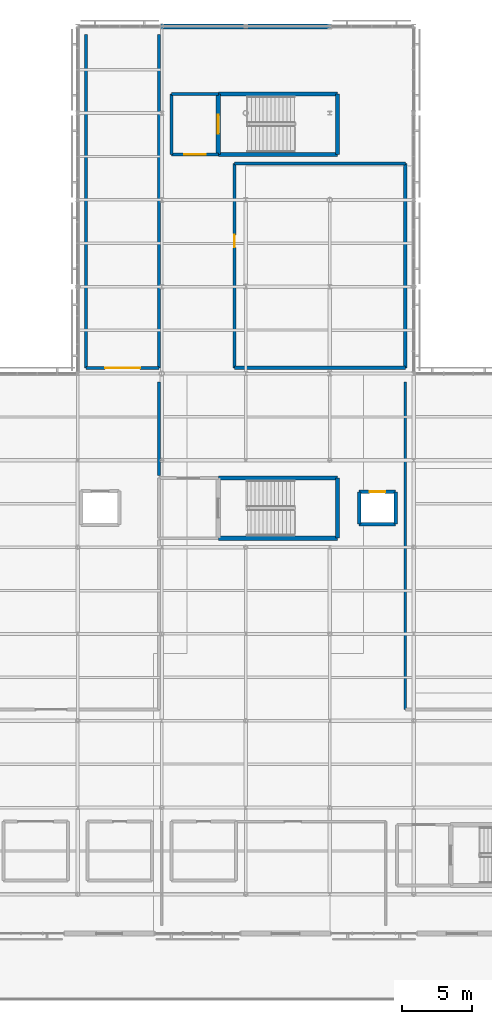
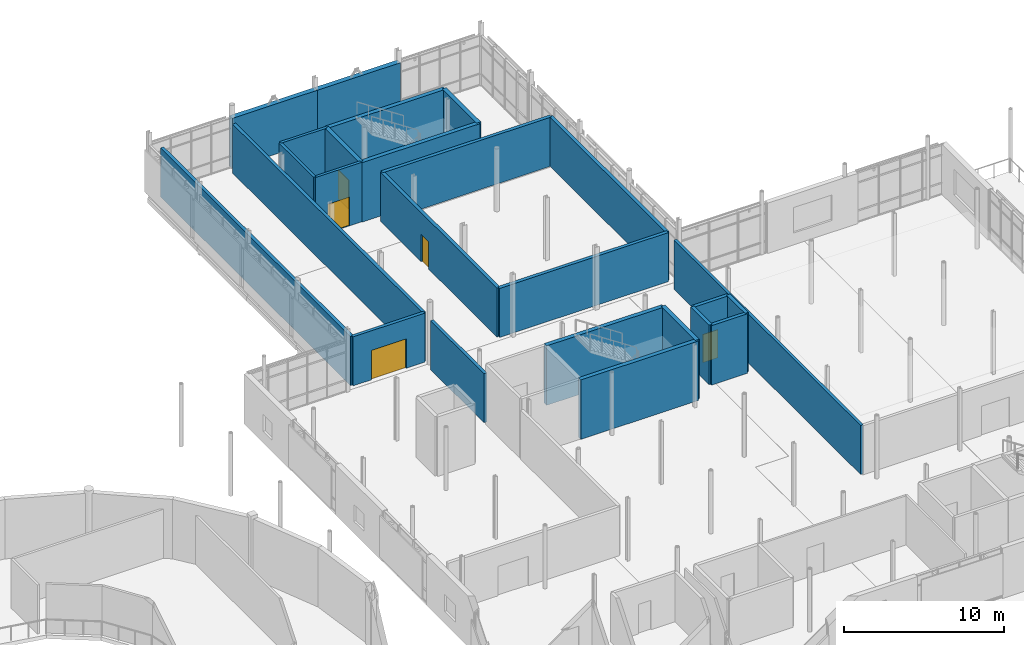
# One storey, part 48 of 66: 25 walls, 5 doors, 5 openings.
"""IFC4 building model written with IfcOpenShell, lengths in metres."""

from ifc_helpers import new_model, si_unit, direction, frame, frame_2d, origin, place, context, subcontext, project, spatial, rectangle, extrude, material, layer, layer_set, type_object, element, fill, save


model = new_model("IFC4")

# Units and contexts
model_context = context("Model", 3, precision=1e-05, world=origin(), true_north=direction((0.0, 1.0)))
body_context = subcontext(model_context, "Body", "Model", "MODEL_VIEW")
ifc_project = project(units=[si_unit("LENGTHUNIT", "METRE"), si_unit("AREAUNIT", "SQUARE_METRE"), si_unit("VOLUMEUNIT", "CUBIC_METRE"), si_unit("PLANEANGLEUNIT", "RADIAN"), si_unit("MASSUNIT", "GRAM", prefix="KILO")], contexts=[model_context])

# Site, building, storey
site_placement = place(None, origin())
site = spatial("IfcSite", under=ifc_project, at=site_placement, CompositionType="ELEMENT")
building_placement = place(site_placement, origin())
building = spatial("IfcBuilding", under=site, at=building_placement, Name="Mirzam Square Science Centre", CompositionType="ELEMENT")
storey_placement = place(building_placement, frame((0.0, 0.0, 15.60009765625)))
storey = spatial("IfcBuildingStorey", under=building, at=storey_placement, Name="L03", CompositionType="ELEMENT", Elevation=15.60009765625)

# Walls
ifc_material_1 = material(Name="Concrete C45/55", Category="concrete")
ifc_layer_1 = layer(ifc_material_1, 0.300048828125)
ifc_layer_set_1 = layer_set([ifc_layer_1], Name="W-CORE-300")
wall_type_1 = type_object("IfcWallType", Name="W-CORE-300", PredefinedType="SHEAR", material=ifc_layer_set_1)
for number, where, z_axis, x_axis, name in (
    (1, (124.0400390625, 75.0400390625, 0.0), (0.0, 0.0, 1.0), (1.0, 0.0, 0.0), "L03 CORE-4 south wall"),
    (2, (132.56005859375, 79.330078125, 0.0), (0.0, 0.0, 1.0), (-1.0, 0.0, 0.0), "L03 CORE-4 north wall"),
):
    element("IfcWall", number, at=place(storey_placement, frame(where, z_axis=z_axis, x_axis=x_axis)), inside=storey, type_object=wall_type_1, Name=name, PredefinedType="SHEAR", context=body_context, shape_type="SweptSolid", body=[
        extrude(rectangle(XDim=8.52001953125, YDim=0.300048828125, at=frame_2d((4.260009765625, 0.0))), origin(), (0.0, 0.0, 1.0), 4.5498046875),
    ])
wall_1_placement = place(storey_placement, frame((132.56005859375, 75.0400390625, 0.0), z_axis=(0.0, 0.0, 1.0), x_axis=(0.0, 1.0, 0.0)))
element("IfcWall", 3, at=wall_1_placement, inside=storey, type_object=wall_type_1, Name="L03 CORE-4 east wall", PredefinedType="SHEAR", context=body_context, shape_type="SweptSolid", body=[
    extrude(rectangle(XDim=4.2900390625, YDim=0.300048828125, at=frame_2d((2.14501953125, 0.0))), origin(), (0.0, 0.0, 1.0), 4.5498046875),
])
for number, where, z_axis, x_axis, name in (
    (4, (124.0400390625, 102.43994140625, 0.0), (0.0, 0.0, 1.0), (1.0, 0.0, 0.0), "L03 CORE-7 south wall"),
    (5, (132.56005859375, 106.77001953125, 0.0), (0.0, 0.0, 1.0), (-1.0, 0.0, 0.0), "L03 CORE-7 north wall"),
):
    element("IfcWall", number, at=place(storey_placement, frame(where, z_axis=z_axis, x_axis=x_axis)), inside=storey, type_object=wall_type_1, Name=name, PredefinedType="SHEAR", context=body_context, shape_type="SweptSolid", body=[
        extrude(rectangle(XDim=8.52001953125, YDim=0.300048828125, at=frame_2d((4.260009765625, 0.0))), origin(), (0.0, 0.0, 1.0), 4.5498046875),
    ])

# Wall, opening, door
wall_2_placement = place(storey_placement, frame((124.0400390625, 106.77001953125, 0.0), z_axis=(0.0, 0.0, 1.0), x_axis=(0.0, -1.0, 0.0)))
wall_2 = element("IfcWall", 6, at=wall_2_placement, inside=storey, type_object=wall_type_1, Name="L03 CORE-7 west wall", PredefinedType="SHEAR", context=body_context, shape_type="SweptSolid", body=[
    extrude(rectangle(XDim=4.330078125, YDim=0.300048828125, at=frame_2d((2.1650390625, 0.0))), origin(), (0.0, 0.0, 1.0), 4.5498046875),
])
opening_1_placement = place(wall_2_placement, frame((1.489990234375, 0.0, 0.0)))
opening_1 = element("IfcOpeningElement", 7, at=opening_1_placement, cuts=wall_2, Name="Opening DS-01", PredefinedType="OPENING", context=body_context, shape_type="SweptSolid", body=[
    extrude(rectangle(XDim=1.35009765625, YDim=2.199951171875, at=frame_2d((0.675048828125, 1.10009765625))), frame((0.0, 0.159912109375, 0.0), z_axis=(0.0, -1.0, 0.0), x_axis=(1.0, 0.0, 0.0)), (0.0, 0.0, 1.0), 0.320068359375),
])
ifc_material_2 = material(Name="Fire-Rated Powder-Coated Architectural Steel Door", Category="steel")
door_type_1 = type_object("IfcDoorType", Name="DR-STAIR-1350x2200", OperationType="NOTDEFINED", PredefinedType="DOOR", material=ifc_material_2)
door_1_placement = place(opening_1_placement, origin())
door_1 = element("IfcDoor", 8, at=door_1_placement, inside=storey, type_object=door_type_1, Name="DRS-7-L03", OperationType="SINGLE_SWING_RIGHT", OverallHeight=2.199951171875, OverallWidth=1.35009765625, PredefinedType="DOOR", context=body_context, shape_type="SweptSolid", body=[
    extrude(rectangle(XDim=1.35009765625, YDim=2.199951171875, at=frame_2d((0.675048828125, 1.10009765625))), frame((0.0, 0.02490234375, 0.0), z_axis=(0.0, -1.0, 0.0), x_axis=(1.0, 0.0, 0.0)), (0.0, 0.0, 1.0), 0.050048828125),
])
fill(opening_1, door_1)

# Walls
wall_3_placement = place(storey_placement, frame((132.56005859375, 102.43994140625, 0.0), z_axis=(0.0, 0.0, 1.0), x_axis=(0.0, 1.0, 0.0)))
element("IfcWall", 9, at=wall_3_placement, inside=storey, type_object=wall_type_1, Name="L03 CORE-7 east wall", PredefinedType="SHEAR", context=body_context, shape_type="SweptSolid", body=[
    extrude(rectangle(XDim=4.330078125, YDim=0.300048828125, at=frame_2d((2.1650390625, 0.0))), origin(), (0.0, 0.0, 1.0), 4.5498046875),
])
ifc_material_3 = material(Name="Standing-Seam Zinc-Clad Concrete Backup C40/50", Category="concrete")
ifc_layer_2 = layer(ifc_material_3, 0.35009765625)
ifc_layer_set_2 = layer_set([ifc_layer_2], Name="W-EXT-METAL-350")
wall_type_2 = type_object("IfcWallType", Name="W-EXT-METAL-350", PredefinedType="SOLIDWALL", material=ifc_layer_set_2)
for number, where, z_axis, x_axis, name in (
    (10, (126.074951171875, 111.60009765625, 0.0), (0.0, 0.0, 1.0), (-1.0, 0.0, 0.0), "L03 external wall EW-NEP-N-L03-21"),
    (11, (132.074951171875, 111.60009765625, 0.0), (0.0, 0.0, 1.0), (-1.0, 0.0, 0.0), "L03 external wall EW-NEP-N-L03-22"),
):
    element("IfcWall", number, at=place(storey_placement, frame(where, z_axis=z_axis, x_axis=x_axis)), inside=storey, type_object=wall_type_2, Name=name, PredefinedType="SOLIDWALL", context=body_context, shape_type="SweptSolid", body=[
        extrude(rectangle(XDim=6.14990234375, YDim=0.35009765625, at=frame_2d((3.074951171875, 0.0))), origin(), (0.0, 0.0, 1.0), 3.83984375),
    ])

# Wall, opening, door
ifc_layer_3 = layer(ifc_material_1, 0.199951171875)
ifc_layer_set_3 = layer_set([ifc_layer_3], Name="W-LOBBY-200")
wall_type_3 = type_object("IfcWallType", Name="W-LOBBY-200", PredefinedType="SHEAR", material=ifc_layer_set_3)
wall_4_placement = place(storey_placement, frame((120.699951171875, 102.43994140625, 0.0), z_axis=(0.0, 0.0, 1.0), x_axis=(1.0, 0.0, 0.0)))
wall_4 = element("IfcWall", 12, at=wall_4_placement, inside=storey, type_object=wall_type_3, Name="L03 CORE-7 lobby south wall", PredefinedType="SHEAR", context=body_context, shape_type="SweptSolid", body=[
    extrude(rectangle(XDim=3.340087890625, YDim=0.199951171875, at=frame_2d((1.669921875, 0.0))), origin(), (0.0, 0.0, 1.0), 4.5498046875),
])
opening_2_placement = place(wall_4_placement, frame((0.89501953125, 0.0, 0.0)))
opening_2 = element("IfcOpeningElement", 13, at=opening_2_placement, cuts=wall_4, Name="Opening DL-01", PredefinedType="OPENING", context=body_context, shape_type="SweptSolid", body=[
    extrude(rectangle(XDim=1.550048828125, YDim=2.199951171875, at=frame_2d((0.77490234375, 1.10009765625))), frame((0.0, 0.10986328125, 0.0), z_axis=(0.0, -1.0, 0.0), x_axis=(1.0, 0.0, 0.0)), (0.0, 0.0, 1.0), 0.219970703125),
])
ifc_material_4 = material(Name="Fire-Rated Glazed Architectural Steel Lobby Door", Category="steel")
door_type_2 = type_object("IfcDoorType", Name="DR-LOBBY-1550x2200", OperationType="DOUBLE_DOOR_SINGLE_SWING", PredefinedType="DOOR", material=ifc_material_4)
door_2_placement = place(opening_2_placement, origin())
door_2 = element("IfcDoor", 14, at=door_2_placement, inside=storey, type_object=door_type_2, Name="DRL-7-L03", OperationType="SINGLE_SWING_LEFT", OverallHeight=2.199951171875, OverallWidth=1.550048828125, PredefinedType="DOOR", context=body_context, shape_type="SweptSolid", body=[
    extrude(rectangle(XDim=1.550048828125, YDim=2.199951171875, at=frame_2d((0.77490234375, 1.10009765625))), frame((0.0, 0.02490234375, 0.0), z_axis=(0.0, -1.0, 0.0), x_axis=(1.0, 0.0, 0.0)), (0.0, 0.0, 1.0), 0.050048828125),
])
fill(opening_2, door_2)

# Walls
wall_5_placement = place(storey_placement, frame((124.0400390625, 106.77001953125, 0.0), z_axis=(0.0, 0.0, 1.0), x_axis=(-1.0, 0.0, 0.0)))
element("IfcWall", 15, at=wall_5_placement, inside=storey, type_object=wall_type_3, Name="L03 CORE-7 lobby north wall", PredefinedType="SHEAR", context=body_context, shape_type="SweptSolid", body=[
    extrude(rectangle(XDim=3.340087890625, YDim=0.199951171875, at=frame_2d((1.669921875, 0.0))), origin(), (0.0, 0.0, 1.0), 4.5498046875),
])
wall_6_placement = place(storey_placement, frame((120.699951171875, 106.77001953125, 0.0), z_axis=(0.0, 0.0, 1.0), x_axis=(0.0, -1.0, 0.0)))
element("IfcWall", 16, at=wall_6_placement, inside=storey, type_object=wall_type_3, Name="L03 CORE-7 lobby west wall", PredefinedType="SHEAR", context=body_context, shape_type="SweptSolid", body=[
    extrude(rectangle(XDim=4.330078125, YDim=0.199951171875, at=frame_2d((2.1650390625, 0.0))), origin(), (0.0, 0.0, 1.0), 4.5498046875),
])
ifc_material_5 = material(Name="Fire-Rated Corridor Blockwork Concrete C30/37", Category="masonry")
ifc_layer_4 = layer(ifc_material_5, 0.199951171875)
ifc_layer_set_4 = layer_set([ifc_layer_4], Name="W-PART-200")
wall_type_4 = type_object("IfcWallType", Name="W-PART-200", PredefinedType="PARTITIONING", material=ifc_layer_set_4)
wall_7_placement = place(storey_placement, frame((137.39990234375, 62.800048828125, 0.0), z_axis=(0.0, 0.0, 1.0), x_axis=(0.0, 1.0, 0.0)))
element("IfcWall", 17, at=wall_7_placement, inside=storey, type_object=wall_type_4, Name="L03 Autonomous Systems Dry Laboratory 3 partition 251", PredefinedType="PARTITIONING", context=body_context, shape_type="SweptSolid", body=[
    extrude(rectangle(XDim=23.39990234375, YDim=0.199951171875, at=frame_2d((11.699951171875, 0.0))), origin(), (0.0, 0.0, 1.0), 3.75),
])
ifc_material_6 = material(Name="Chemical Prep Fire Partition Concrete C30/37", Category="concrete")
ifc_layer_5 = layer(ifc_material_6, 0.215087890625)
ifc_layer_set_5 = layer_set([ifc_layer_5], Name="W-PART-215")
wall_type_5 = type_object("IfcWallType", Name="W-PART-215", PredefinedType="PARTITIONING", material=ifc_layer_set_5)
wall_8_placement = place(storey_placement, frame((119.800048828125, 86.199951171875, 0.0), z_axis=(0.0, 0.0, 1.0), x_axis=(0.0, -1.0, 0.0)))
element("IfcWall", 18, at=wall_8_placement, inside=storey, type_object=wall_type_5, Name="L03 Arid Botany Wet Laboratory 4 partition 253", PredefinedType="PARTITIONING", context=body_context, shape_type="SweptSolid", body=[
    extrude(rectangle(XDim=6.699951171875, YDim=0.215087890625, at=frame_2d((3.35009765625, 0.0))), origin(), (0.0, 0.0, 1.0), 3.75),
])
ifc_material_7 = material(Name="Gallery Display Backing Wall Concrete C30/37", Category="concrete")
ifc_layer_6 = layer(ifc_material_7, 0.22998046875)
ifc_layer_set_6 = layer_set([ifc_layer_6], Name="W-PART-230")
wall_type_6 = type_object("IfcWallType", Name="W-PART-230", PredefinedType="PARTITIONING", material=ifc_layer_set_6)
wall_9_placement = place(storey_placement, frame((119.800048828125, 111.0, 0.0), z_axis=(0.0, 0.0, 1.0), x_axis=(0.0, -1.0, 0.0)))
element("IfcWall", 19, at=wall_9_placement, inside=storey, type_object=wall_type_6, Name="L03 Reference Archive and Reading Room partition 255", PredefinedType="PARTITIONING", context=body_context, shape_type="SweptSolid", body=[
    extrude(rectangle(XDim=23.800048828125, YDim=0.22998046875, at=frame_2d((11.89990234375, 0.0))), origin(), (0.0, 0.0, 1.0), 3.75),
])

# Wall, opening, door
wall_10_placement = place(storey_placement, frame((119.800048828125, 87.199951171875, 0.0), z_axis=(0.0, 0.0, 1.0), x_axis=(-1.0, 0.0, 0.0)))
wall_10 = element("IfcWall", 20, at=wall_10_placement, inside=storey, type_object=wall_type_6, Name="L03 Reference Archive and Reading Room partition 256", PredefinedType="PARTITIONING", context=body_context, shape_type="SweptSolid", body=[
    extrude(rectangle(XDim=5.199951171875, YDim=0.22998046875, at=frame_2d((2.60009765625, 0.0))), origin(), (0.0, 0.0, 1.0), 3.75),
])
opening_3_placement = place(wall_10_placement, frame((1.35009765625, 0.0, 0.0)))
opening_3 = element("IfcOpeningElement", 21, at=opening_3_placement, cuts=wall_10, Name="Opening D-24", PredefinedType="OPENING", context=body_context, shape_type="SweptSolid", body=[
    extrude(rectangle(XDim=2.5, YDim=2.25, at=frame_2d((1.25, 1.125))), frame((0.0, 0.125, 0.0), z_axis=(0.0, -1.0, 0.0), x_axis=(1.0, 0.0, 0.0)), (0.0, 0.0, 1.0), 0.25),
])
ifc_material_8 = material(Name="Powder-Coated Architectural Steel Acoustic Door", Category="steel")
door_type_3 = type_object("IfcDoorType", Name="DR-INT-2500x2250", OperationType="DOUBLE_DOOR_SINGLE_SWING", PredefinedType="DOOR", material=ifc_material_8)
door_3_placement = place(opening_3_placement, origin())
door_3 = element("IfcDoor", 22, at=door_3_placement, inside=storey, type_object=door_type_3, Name="ID-L03-0071", OperationType="DOUBLE_DOOR_SINGLE_SWING", OverallHeight=2.25, OverallWidth=2.5, PredefinedType="DOOR", context=body_context, shape_type="SweptSolid", body=[
    extrude(rectangle(XDim=2.5, YDim=2.25, at=frame_2d((1.25, 1.125))), frame((0.0, 0.02490234375, 0.0), z_axis=(0.0, -1.0, 0.0), x_axis=(1.0, 0.0, 0.0)), (0.0, 0.0, 1.0), 0.050048828125),
])
fill(opening_3, door_3)

# Walls
wall_11_placement = place(storey_placement, frame((114.60009765625, 87.199951171875, 0.0), z_axis=(0.0, 0.0, 1.0), x_axis=(0.0, 1.0, 0.0)))
element("IfcWall", 23, at=wall_11_placement, inside=storey, type_object=wall_type_6, Name="L03 Reference Archive and Reading Room partition 257", PredefinedType="PARTITIONING", context=body_context, shape_type="SweptSolid", body=[
    extrude(rectangle(XDim=23.800048828125, YDim=0.22998046875, at=frame_2d((11.89990234375, 0.0))), origin(), (0.0, 0.0, 1.0), 3.75),
])
ifc_material_9 = material(Name="Plant Acoustic Barrier Wall Concrete C35/45", Category="concrete")
ifc_layer_7 = layer(ifc_material_9, 0.2451171875)
ifc_layer_set_7 = layer_set([ifc_layer_7], Name="W-PART-245")
wall_type_7 = type_object("IfcWallType", Name="W-PART-245", PredefinedType="PARTITIONING", material=ifc_layer_set_7)
wall_12_placement = place(storey_placement, frame((125.199951171875, 101.800048828125, 0.0), z_axis=(0.0, 0.0, 1.0), x_axis=(1.0, 0.0, 0.0)))
element("IfcWall", 24, at=wall_12_placement, inside=storey, type_object=wall_type_7, Name="L03 Rare Astronomical Manuscripts Reading Room partition 258", PredefinedType="PARTITIONING", context=body_context, shape_type="SweptSolid", body=[
    extrude(rectangle(XDim=12.199951171875, YDim=0.2451171875, at=frame_2d((6.10009765625, 0.0))), origin(), (0.0, 0.0, 1.0), 3.75),
])
wall_13_placement = place(storey_placement, frame((137.39990234375, 101.800048828125, 0.0), z_axis=(0.0, 0.0, 1.0), x_axis=(0.0, -1.0, 0.0)))
element("IfcWall", 25, at=wall_13_placement, inside=storey, type_object=wall_type_7, Name="L03 Rare Astronomical Manuscripts Reading Room partition 259", PredefinedType="PARTITIONING", context=body_context, shape_type="SweptSolid", body=[
    extrude(rectangle(XDim=14.60009765625, YDim=0.2451171875, at=frame_2d((7.300048828125, 0.0))), origin(), (0.0, 0.0, 1.0), 3.75),
])
wall_14_placement = place(storey_placement, frame((137.39990234375, 87.199951171875, 0.0), z_axis=(0.0, 0.0, 1.0), x_axis=(-1.0, 0.0, 0.0)))
element("IfcWall", 26, at=wall_14_placement, inside=storey, type_object=wall_type_7, Name="L03 Rare Astronomical Manuscripts Reading Room partition 260", PredefinedType="PARTITIONING", context=body_context, shape_type="SweptSolid", body=[
    extrude(rectangle(XDim=12.199951171875, YDim=0.2451171875, at=frame_2d((6.10009765625, 0.0))), origin(), (0.0, 0.0, 1.0), 3.75),
])

# Wall, opening, door
wall_15_placement = place(storey_placement, frame((125.199951171875, 87.199951171875, 0.0), z_axis=(0.0, 0.0, 1.0), x_axis=(0.0, 1.0, 0.0)))
wall_15 = element("IfcWall", 27, at=wall_15_placement, inside=storey, type_object=wall_type_7, Name="L03 Rare Astronomical Manuscripts Reading Room partition 261", PredefinedType="PARTITIONING", context=body_context, shape_type="SweptSolid", body=[
    extrude(rectangle(XDim=14.60009765625, YDim=0.2451171875, at=frame_2d((7.300048828125, 0.0))), origin(), (0.0, 0.0, 1.0), 3.75),
])
opening_4_placement = place(wall_15_placement, frame((8.60205078125, 0.0, 0.0)))
opening_4 = element("IfcOpeningElement", 28, at=opening_4_placement, cuts=wall_15, Name="Opening D-01", PredefinedType="OPENING", context=body_context, shape_type="SweptSolid", body=[
    extrude(rectangle(XDim=0.89990234375, YDim=2.10009765625, at=frame_2d((0.449951171875, 1.050048828125))), frame((0.0, 0.132568359375, 0.0), z_axis=(0.0, -1.0, 0.0), x_axis=(1.0, 0.0, 0.0)), (0.0, 0.0, 1.0), 0.26513671875),
])
ifc_material_10 = material(Name="Solid Core Acoustic Oak Timber Door", Category="wood")
door_type_4 = type_object("IfcDoorType", Name="DR-INT-900x2100", OperationType="NOTDEFINED", PredefinedType="DOOR", material=ifc_material_10)
door_4_placement = place(opening_4_placement, origin())
door_4 = element("IfcDoor", 29, at=door_4_placement, inside=storey, type_object=door_type_4, Name="ID-L03-0072", OperationType="SINGLE_SWING_LEFT", OverallHeight=2.10009765625, OverallWidth=0.89990234375, PredefinedType="DOOR", context=body_context, shape_type="SweptSolid", body=[
    extrude(rectangle(XDim=0.89990234375, YDim=2.10009765625, at=frame_2d((0.449951171875, 1.050048828125))), frame((0.0, 0.02490234375, 0.0), z_axis=(0.0, -1.0, 0.0), x_axis=(1.0, 0.0, 0.0)), (0.0, 0.0, 1.0), 0.050048828125),
])
fill(opening_4, door_4)

# Wall
ifc_layer_8 = layer(ifc_material_1, 0.25)
ifc_layer_set_8 = layer_set([ifc_layer_8], Name="W-SHAFT-250")
wall_type_8 = type_object("IfcWallType", Name="W-SHAFT-250", PredefinedType="SHEAR", material=ifc_layer_set_8)
wall_16_placement = place(storey_placement, frame((134.10009765625, 76.050048828125, 0.0), z_axis=(0.0, 0.0, 1.0), x_axis=(1.0, 0.0, 0.0)))
element("IfcWall", 30, at=wall_16_placement, inside=storey, type_object=wall_type_8, Name="L03 lift LP-03 shaft wall S", PredefinedType="SHEAR", context=body_context, shape_type="SweptSolid", body=[
    extrude(rectangle(XDim=2.599853515625, YDim=0.25, at=frame_2d((1.2998046875, 0.0))), origin(), (0.0, 0.0, 1.0), 4.5498046875),
])

# Wall, opening, door
wall_17_placement = place(storey_placement, frame((136.699951171875, 78.35009765625, 0.0), z_axis=(0.0, 0.0, 1.0), x_axis=(-1.0, 0.0, 0.0)))
wall_17 = element("IfcWall", 31, at=wall_17_placement, inside=storey, type_object=wall_type_8, Name="L03 lift LP-03 shaft wall N", PredefinedType="SHEAR", context=body_context, shape_type="SweptSolid", body=[
    extrude(rectangle(XDim=2.599853515625, YDim=0.25, at=frame_2d((1.2998046875, 0.0))), origin(), (0.0, 0.0, 1.0), 4.5498046875),
])
opening_5_placement = place(wall_17_placement, frame((0.75, 0.0, 0.0)))
opening_5 = element("IfcOpeningElement", 32, at=opening_5_placement, cuts=wall_17, Name="Opening LD-01", PredefinedType="OPENING", context=body_context, shape_type="SweptSolid", body=[
    extrude(rectangle(XDim=1.10009765625, YDim=2.14990234375, at=frame_2d((0.550048828125, 1.074951171875))), frame((0.0, 0.135009765625, 0.0), z_axis=(0.0, -1.0, 0.0), x_axis=(1.0, 0.0, 0.0)), (0.0, 0.0, 1.0), 0.27001953125),
])
ifc_material_11 = material(Name="Brushed Stainless Steel 316L Sliding Lift Door", Category="steel")
door_type_5 = type_object("IfcDoorType", Name="LD-PASS-1100x2150", OperationType="DOUBLE_DOOR_SLIDING", PredefinedType="DOOR", material=ifc_material_11)
door_5_placement = place(opening_5_placement, origin())
door_5 = element("IfcDoor", 33, at=door_5_placement, inside=storey, type_object=door_type_5, Name="LD-LP-03-L03", OperationType="DOUBLE_DOOR_SLIDING", OverallHeight=2.14990234375, OverallWidth=1.10009765625, PredefinedType="DOOR", context=body_context, shape_type="SweptSolid", body=[
    extrude(rectangle(XDim=1.10009765625, YDim=2.14990234375, at=frame_2d((0.550048828125, 1.074951171875))), frame((0.0, 0.02490234375, 0.0), z_axis=(0.0, -1.0, 0.0), x_axis=(1.0, 0.0, 0.0)), (0.0, 0.0, 1.0), 0.050048828125),
])
fill(opening_5, door_5)

# Walls
for number, where, z_axis, x_axis, name in (
    (34, (134.10009765625, 78.35009765625, 0.0), (0.0, 0.0, 1.0), (0.0, -1.0, 0.0), "L03 lift LP-03 shaft wall W"),
    (35, (136.699951171875, 76.050048828125, 0.0), (0.0, 0.0, 1.0), (0.0, 1.0, 0.0), "L03 lift LP-03 shaft wall E"),
):
    element("IfcWall", number, at=place(storey_placement, frame(where, z_axis=z_axis, x_axis=x_axis)), inside=storey, type_object=wall_type_8, Name=name, PredefinedType="SHEAR", context=body_context, shape_type="SweptSolid", body=[
        extrude(rectangle(XDim=2.300048828125, YDim=0.25, at=frame_2d((1.14990234375, 0.0))), origin(), (0.0, 0.0, 1.0), 4.5498046875),
    ])

save(model, "model.ifc")
